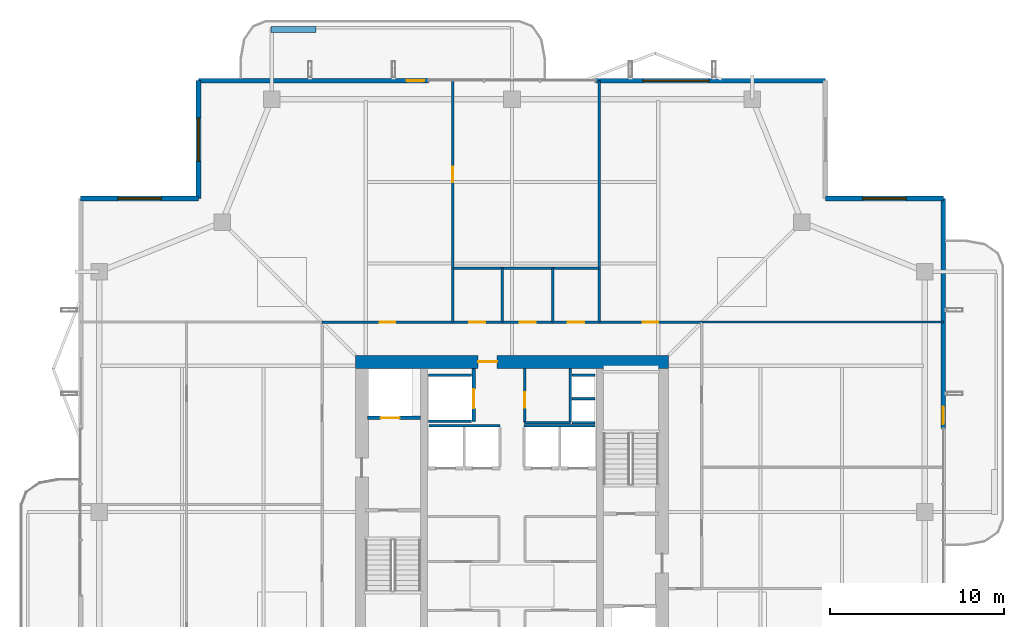
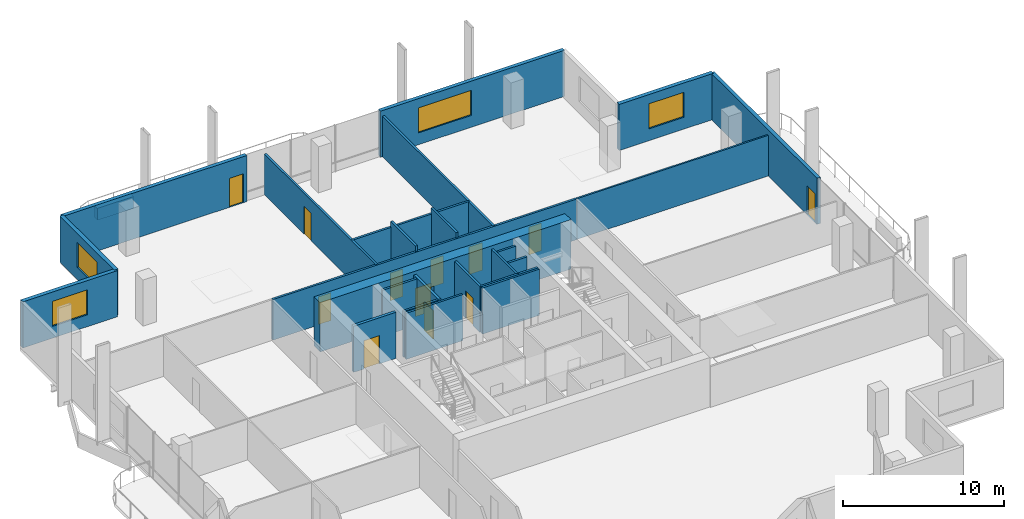
# One storey, part 20 of 25: 27 walls, 12 doors, 4 windows, 16 openings.
"""IFC4 building model written with IfcOpenShell, lengths in metres."""

from ifc_helpers import new_model, si_unit, direction, frame, frame_2d, origin, place, context, subcontext, project, spatial, rectangle, extrude, material, layer, layer_set, type_object, element, fill, save


model = new_model("IFC4")

# Units and contexts
model_context = context("Model", 3, precision=1e-05, world=origin(), true_north=direction((0.0, 1.0)))
body_context = subcontext(model_context, "Body", "Model", "MODEL_VIEW")
ifc_project = project(units=[si_unit("LENGTHUNIT", "METRE"), si_unit("AREAUNIT", "SQUARE_METRE"), si_unit("VOLUMEUNIT", "CUBIC_METRE"), si_unit("PLANEANGLEUNIT", "RADIAN"), si_unit("MASSUNIT", "GRAM", prefix="KILO")], contexts=[model_context])

# Site, building, storey
site_placement = place(None, origin())
site = spatial("IfcSite", under=ifc_project, at=site_placement, CompositionType="ELEMENT")
building_placement = place(site_placement, origin())
building = spatial("IfcBuilding", under=site, at=building_placement, Name="Belovzor Exchange Tower", CompositionType="ELEMENT")
storey_placement = place(building_placement, frame((0.0, 0.0, 272.85009765625)))
storey = spatial("IfcBuildingStorey", under=building, at=storey_placement, Name="L68", CompositionType="ELEMENT", Elevation=272.85009765625)

# Wall
ifc_material_1 = material(Name="Acoustic Plasterboard on Galvanised Studs", Category="gypsum")
ifc_layer_1 = layer(ifc_material_1, 0.1201171875)
ifc_layer_set_1 = layer_set([ifc_layer_1], Name="Acoustic Plasterboard on Galvanised Studs")
wall_type_1 = type_object("IfcWallType", Name="Acoustic Double-Stud Partition Wall 120", PredefinedType="PARTITIONING", material=ifc_layer_set_1)
wall_1_placement = place(storey_placement, frame((39.699951171875, 39.699951171875, 0.0), z_axis=(0.0, 0.0, 1.0), x_axis=(1.0, 0.0, 0.0)))
element("IfcWall", 1, at=wall_1_placement, inside=storey, type_object=wall_type_1, Name="W-P120 Partition Wall W-L68-END-NE", PredefinedType="PARTITIONING", context=body_context, shape_type="SweptSolid", body=[
    extrude(rectangle(XDim=13.8701171875, YDim=0.1201171875, at=frame_2d((6.93505859375, 0.0))), origin(), (0.0, 0.0, 1.0), 3.0849609375),
])

# Wall, opening, door
ifc_material_2 = material(Name="Fire-Rated Gypsum Block and Mineral Wool", Category="gypsum")
ifc_layer_2 = layer(ifc_material_2, 0.14990234375)
ifc_layer_set_2 = layer_set([ifc_layer_2], Name="Fire-Rated Gypsum Block and Mineral Wool")
wall_type_2 = type_object("IfcWallType", Name="Fire-Rated Gypsum Block Corridor Wall 150", PredefinedType="PARTITIONING", material=ifc_layer_set_2)
wall_2_placement = place(storey_placement, frame((29.52490234375, 33.925048828125, 0.0), z_axis=(0.0, 0.0, 1.0), x_axis=(0.0, 1.0, 0.0)))
wall_2 = element("IfcWall", 2, at=wall_2_placement, inside=storey, type_object=wall_type_2, Name="W-P150 Partition Wall W-CRV-L68-W", PredefinedType="PARTITIONING", context=body_context, shape_type="SweptSolid", body=[
    extrude(rectangle(XDim=3.125, YDim=0.14990234375, at=frame_2d((1.5625, 0.0))), origin(), (0.0, 0.0, 1.0), 3.5),
])
opening_1_placement = place(wall_2_placement, frame((0.85009765625, 0.0, 0.0)))
opening_1 = element("IfcOpeningElement", 3, at=opening_1_placement, cuts=wall_2, Name="Opening D-FD60-090", PredefinedType="OPENING", context=body_context, shape_type="SweptSolid", body=[
    extrude(rectangle(XDim=0.89990234375, YDim=2.10009765625, at=frame_2d((0.449951171875, 1.050048828125))), frame((0.0, 0.0849609375, 0.0), z_axis=(0.0, -1.0, 0.0), x_axis=(1.0, 0.0, 0.0)), (0.0, 0.0, 1.0), 0.169921875),
])
ifc_material_3 = material(Name="Acoustic Timber Fire Leaf", Category="wood")
door_type_1 = type_object("IfcDoorType", Name="Core Service & Restroom Fire Door 900x2100", OperationType="NOTDEFINED", PredefinedType="DOOR", material=ifc_material_3)
door_1_placement = place(opening_1_placement, origin())
door_1 = element("IfcDoor", 4, at=door_1_placement, inside=storey, type_object=door_type_1, Name="D-FD60-090 Core Service & Restroom Fire Door 900x2100", OperationType="SINGLE_SWING_LEFT", OverallHeight=2.10009765625, OverallWidth=0.89990234375, PredefinedType="DOOR", context=body_context, shape_type="SweptSolid", body=[
    extrude(rectangle(XDim=0.89990234375, YDim=2.10009765625, at=frame_2d((0.449951171875, 1.050048828125))), frame((0.0, 0.02490234375, 0.0), z_axis=(0.0, -1.0, 0.0), x_axis=(1.0, 0.0, 0.0)), (0.0, 0.0, 1.0), 0.050048828125),
])
fill(opening_1, door_1)

# Walls
wall_3_placement = place(storey_placement, frame((29.52490234375, 33.925048828125, 0.0), z_axis=(0.0, 0.0, 1.0), x_axis=(1.0, 0.0, 0.0)))
element("IfcWall", 5, at=wall_3_placement, inside=storey, type_object=wall_type_2, Name="W-P150 Partition Wall W-CRV-L68-S", PredefinedType="PARTITIONING", context=body_context, shape_type="SweptSolid", body=[
    extrude(rectangle(XDim=2.625, YDim=0.14990234375, at=frame_2d((1.3125, 0.0))), origin(), (0.0, 0.0, 1.0), 3.5),
])
wall_4_placement = place(storey_placement, frame((25.39990234375, 42.800048828125, 0.0), z_axis=(0.0, 0.0, 1.0), x_axis=(1.0, 0.0, 0.0)))
element("IfcWall", 6, at=wall_4_placement, inside=storey, type_object=wall_type_2, Name="W-P150 Partition Wall W-L68-WCN", PredefinedType="PARTITIONING", context=body_context, shape_type="SweptSolid", body=[
    extrude(rectangle(XDim=8.400146484375, YDim=0.14990234375, at=frame_2d((4.2001953125, 0.0))), origin(), (0.0, 0.0, 1.0), 3.0849609375),
])

# Wall, opening, door
wall_5_placement = place(storey_placement, frame((25.39990234375, 39.699951171875, 0.0), z_axis=(0.0, 0.0, 1.0), x_axis=(0.0, 1.0, 0.0)))
wall_5 = element("IfcWall", 7, at=wall_5_placement, inside=storey, type_object=wall_type_2, Name="W-P150 Partition Wall W-L68-WCW", PredefinedType="PARTITIONING", context=body_context, shape_type="SweptSolid", body=[
    extrude(rectangle(XDim=13.8701171875, YDim=0.14990234375, at=frame_2d((6.93505859375, 0.0))), origin(), (0.0, 0.0, 1.0), 3.0849609375),
])
opening_2_placement = place(wall_5_placement, frame((8.034912109375, 0.0, 0.0)))
opening_2 = element("IfcOpeningElement", 8, at=opening_2_placement, cuts=wall_5, Name="Opening D-INT-090", PredefinedType="OPENING", context=body_context, shape_type="SweptSolid", body=[
    extrude(rectangle(XDim=0.89990234375, YDim=2.10009765625, at=frame_2d((0.449951171875, 1.050048828125))), frame((0.0, 0.0849609375, 0.0), z_axis=(0.0, -1.0, 0.0), x_axis=(1.0, 0.0, 0.0)), (0.0, 0.0, 1.0), 0.169921875),
])
ifc_material_4 = material(Name="Veneered Hardwood Acoustic Leaf", Category="wood")
door_type_2 = type_object("IfcDoorType", Name="Trading Suite Acoustic Single Door 900x2100", OperationType="NOTDEFINED", PredefinedType="DOOR", material=ifc_material_4)
door_2_placement = place(opening_2_placement, origin())
door_2 = element("IfcDoor", 9, at=door_2_placement, inside=storey, type_object=door_type_2, Name="D-INT-090 Trading Suite Acoustic Single Door 900x2100", OperationType="SINGLE_SWING_LEFT", OverallHeight=2.10009765625, OverallWidth=0.89990234375, PredefinedType="DOOR", context=body_context, shape_type="SweptSolid", body=[
    extrude(rectangle(XDim=0.89990234375, YDim=2.10009765625, at=frame_2d((0.449951171875, 1.050048828125))), frame((0.0, 0.02490234375, 0.0), z_axis=(0.0, -1.0, 0.0), x_axis=(1.0, 0.0, 0.0)), (0.0, 0.0, 1.0), 0.050048828125),
])
fill(opening_2, door_2)

# Walls
wall_6_placement = place(storey_placement, frame((33.800048828125, 39.699951171875, 0.0), z_axis=(0.0, 0.0, 1.0), x_axis=(0.0, 1.0, 0.0)))
element("IfcWall", 10, at=wall_6_placement, inside=storey, type_object=wall_type_2, Name="W-P150 Partition Wall W-L68-WCE", PredefinedType="PARTITIONING", context=body_context, shape_type="SweptSolid", body=[
    extrude(rectangle(XDim=13.8701171875, YDim=0.14990234375, at=frame_2d((6.93505859375, 0.0))), origin(), (0.0, 0.0, 1.0), 3.0849609375),
])
for number, where, z_axis, x_axis, name in (
    (11, (28.25, 39.699951171875, 0.0), (0.0, 0.0, 1.0), (0.0, 1.0, 0.0), "W-P150 Partition Wall W-L68-WCD1"),
    (12, (31.14990234375, 39.699951171875, 0.0), (0.0, 0.0, 1.0), (0.0, 1.0, 0.0), "W-P150 Partition Wall W-L68-WCD2"),
):
    element("IfcWall", number, at=place(storey_placement, frame(where, z_axis=z_axis, x_axis=x_axis)), inside=storey, type_object=wall_type_2, Name=name, PredefinedType="PARTITIONING", context=body_context, shape_type="SweptSolid", body=[
        extrude(rectangle(XDim=3.10009765625, YDim=0.14990234375, at=frame_2d((1.550048828125, 0.0))), origin(), (0.0, 0.0, 1.0), 3.5),
    ])

# Wall, openings, doors
wall_7_placement = place(storey_placement, frame((17.89990234375, 39.699951171875, 0.0), z_axis=(0.0, 0.0, 1.0), x_axis=(1.0, 0.0, 0.0)))
wall_7 = element("IfcWall", 13, at=wall_7_placement, inside=storey, type_object=wall_type_2, Name="W-P150 Partition Wall W-L68-CN", PredefinedType="PARTITIONING", context=body_context, shape_type="SweptSolid", body=[
    extrude(rectangle(XDim=21.800048828125, YDim=0.14990234375, at=frame_2d((10.89990234375, 0.0))), origin(), (0.0, 0.0, 1.0), 3.0849609375),
])
opening_3_placement = place(wall_7_placement, frame((3.300048828125, 0.0, 0.0)))
opening_3 = element("IfcOpeningElement", 14, at=opening_3_placement, cuts=wall_7, Name="Opening D-INT-090", PredefinedType="OPENING", context=body_context, shape_type="SweptSolid", body=[
    extrude(rectangle(XDim=0.89990234375, YDim=2.10009765625, at=frame_2d((0.449951171875, 1.050048828125))), frame((0.0, 0.0849609375, 0.0), z_axis=(0.0, -1.0, 0.0), x_axis=(1.0, 0.0, 0.0)), (0.0, 0.0, 1.0), 0.169921875),
])
opening_4_placement = place(wall_7_placement, frame((8.449951171875, 0.0, 0.0)))
opening_4 = element("IfcOpeningElement", 15, at=opening_4_placement, cuts=wall_7, Name="Opening D-FD60-090", PredefinedType="OPENING", context=body_context, shape_type="SweptSolid", body=[
    extrude(rectangle(XDim=0.89990234375, YDim=2.10009765625, at=frame_2d((0.449951171875, 1.050048828125))), frame((0.0, 0.0849609375, 0.0), z_axis=(0.0, -1.0, 0.0), x_axis=(1.0, 0.0, 0.0)), (0.0, 0.0, 1.0), 0.169921875),
])
opening_5_placement = place(wall_7_placement, frame((11.35009765625, 0.0, 0.0)))
opening_5 = element("IfcOpeningElement", 16, at=opening_5_placement, cuts=wall_7, Name="Opening D-FD60-090", PredefinedType="OPENING", context=body_context, shape_type="SweptSolid", body=[
    extrude(rectangle(XDim=0.89990234375, YDim=2.10009765625, at=frame_2d((0.449951171875, 1.050048828125))), frame((0.0, 0.0849609375, 0.0), z_axis=(0.0, -1.0, 0.0), x_axis=(1.0, 0.0, 0.0)), (0.0, 0.0, 1.0), 0.169921875),
])
opening_6_placement = place(wall_7_placement, frame((14.10009765625, 0.0, 0.0)))
opening_6 = element("IfcOpeningElement", 17, at=opening_6_placement, cuts=wall_7, Name="Opening D-FD60-095", PredefinedType="OPENING", context=body_context, shape_type="SweptSolid", body=[
    extrude(rectangle(XDim=0.949951171875, YDim=2.10009765625, at=frame_2d((0.47509765625, 1.050048828125))), frame((0.0, 0.0849609375, 0.0), z_axis=(0.0, -1.0, 0.0), x_axis=(1.0, 0.0, 0.0)), (0.0, 0.0, 1.0), 0.169921875),
])
opening_7_placement = place(wall_7_placement, frame((18.39990234375, 0.0, 0.0)))
opening_7 = element("IfcOpeningElement", 18, at=opening_7_placement, cuts=wall_7, Name="Opening D-INT-090", PredefinedType="OPENING", context=body_context, shape_type="SweptSolid", body=[
    extrude(rectangle(XDim=0.89990234375, YDim=2.10009765625, at=frame_2d((0.449951171875, 1.050048828125))), frame((0.0, 0.0849609375, 0.0), z_axis=(0.0, -1.0, 0.0), x_axis=(1.0, 0.0, 0.0)), (0.0, 0.0, 1.0), 0.169921875),
])
ifc_material_5 = material(Name="Moisture-Resistant Timber Fire Leaf", Category="wood")
door_type_3 = type_object("IfcDoorType", Name="Accessible Restroom Wide Fire Door 950x2100", OperationType="NOTDEFINED", PredefinedType="DOOR", material=ifc_material_5)
door_3_placement = place(opening_6_placement, origin())
door_3 = element("IfcDoor", 19, at=door_3_placement, inside=storey, type_object=door_type_3, Name="D-FD60-095 Accessible Restroom Wide Fire Door 950x2100", OperationType="SINGLE_SWING_LEFT", OverallHeight=2.10009765625, OverallWidth=0.949951171875, PredefinedType="DOOR", context=body_context, shape_type="SweptSolid", body=[
    extrude(rectangle(XDim=0.949951171875, YDim=2.10009765625, at=frame_2d((0.47509765625, 1.050048828125))), frame((0.0, 0.02490234375, 0.0), z_axis=(0.0, -1.0, 0.0), x_axis=(1.0, 0.0, 0.0)), (0.0, 0.0, 1.0), 0.050048828125),
])
fill(opening_6, door_3)
door_4_placement = place(opening_4_placement, origin())
door_4 = element("IfcDoor", 20, at=door_4_placement, inside=storey, type_object=door_type_1, Name="D-FD60-090 Core Service & Restroom Fire Door 900x2100", OperationType="SINGLE_SWING_LEFT", OverallHeight=2.10009765625, OverallWidth=0.89990234375, PredefinedType="DOOR", context=body_context, shape_type="SweptSolid", body=[
    extrude(rectangle(XDim=0.89990234375, YDim=2.10009765625, at=frame_2d((0.449951171875, 1.050048828125))), frame((0.0, 0.02490234375, 0.0), z_axis=(0.0, -1.0, 0.0), x_axis=(1.0, 0.0, 0.0)), (0.0, 0.0, 1.0), 0.050048828125),
])
fill(opening_4, door_4)
door_5_placement = place(opening_5_placement, origin())
door_5 = element("IfcDoor", 21, at=door_5_placement, inside=storey, type_object=door_type_1, Name="D-FD60-090 Core Service & Restroom Fire Door 900x2100", OperationType="SINGLE_SWING_RIGHT", OverallHeight=2.10009765625, OverallWidth=0.89990234375, PredefinedType="DOOR", context=body_context, shape_type="SweptSolid", body=[
    extrude(rectangle(XDim=0.89990234375, YDim=2.10009765625, at=frame_2d((0.449951171875, 1.050048828125))), frame((0.0, 0.02490234375, 0.0), z_axis=(0.0, -1.0, 0.0), x_axis=(1.0, 0.0, 0.0)), (0.0, 0.0, 1.0), 0.050048828125),
])
fill(opening_5, door_5)
door_6_placement = place(opening_3_placement, origin())
door_6 = element("IfcDoor", 22, at=door_6_placement, inside=storey, type_object=door_type_2, Name="D-INT-090 Trading Suite Acoustic Single Door 900x2100", OperationType="SINGLE_SWING_LEFT", OverallHeight=2.10009765625, OverallWidth=0.89990234375, PredefinedType="DOOR", context=body_context, shape_type="SweptSolid", body=[
    extrude(rectangle(XDim=0.89990234375, YDim=2.10009765625, at=frame_2d((0.449951171875, 1.050048828125))), frame((0.0, 0.02490234375, 0.0), z_axis=(0.0, -1.0, 0.0), x_axis=(1.0, 0.0, 0.0)), (0.0, 0.0, 1.0), 0.050048828125),
])
fill(opening_3, door_6)
door_7_placement = place(opening_7_placement, origin())
door_7 = element("IfcDoor", 23, at=door_7_placement, inside=storey, type_object=door_type_2, Name="D-INT-090 Trading Suite Acoustic Single Door 900x2100", OperationType="SINGLE_SWING_RIGHT", OverallHeight=2.10009765625, OverallWidth=0.89990234375, PredefinedType="DOOR", context=body_context, shape_type="SweptSolid", body=[
    extrude(rectangle(XDim=0.89990234375, YDim=2.10009765625, at=frame_2d((0.449951171875, 1.050048828125))), frame((0.0, 0.02490234375, 0.0), z_axis=(0.0, -1.0, 0.0), x_axis=(1.0, 0.0, 0.0)), (0.0, 0.0, 1.0), 0.050048828125),
])
fill(opening_7, door_7)

# Wall, opening, window
ifc_material_6 = material(Name="Precast concrete C40/50", Category="concrete")
ifc_layer_3 = layer(ifc_material_6, 0.280029296875)
ifc_layer_set_3 = layer_set([ifc_layer_3], Name="Precast concrete C40/50")
wall_type_3 = type_object("IfcWallType", Name="Precast Concrete Notched Corner Frame Wall 280", PredefinedType="SOLIDWALL", material=ifc_layer_set_3)
wall_8_placement = place(storey_placement, frame((4.030029296875, 46.800048828125, 0.0), z_axis=(0.0, 0.0, 1.0), x_axis=(1.0, 0.0, 0.0)))
wall_8 = element("IfcWall", 24, at=wall_8_placement, inside=storey, type_object=wall_type_3, Name="W-CRN280 Precast Concrete Notched Corner Frame Wall 280 L68", PredefinedType="SOLIDWALL", context=body_context, shape_type="SweptSolid", body=[
    extrude(rectangle(XDim=6.77001953125, YDim=0.280029296875, at=frame_2d((3.385009765625, 0.0))), origin(), (0.0, 0.0, 1.0), 3.5),
])
opening_8_placement = place(wall_8_placement, frame((2.135009765625, 0.0, 0.89990234375)))
opening_8 = element("IfcOpeningElement", 25, at=opening_8_placement, cuts=wall_8, Name="Opening WN-CRN250", PredefinedType="OPENING", context=body_context, shape_type="SweptSolid", body=[
    extrude(rectangle(XDim=2.5, YDim=1.89990234375, at=frame_2d((1.25, 0.949951171875))), frame((0.0, 0.14990234375, 0.0), z_axis=(0.0, -1.0, 0.0), x_axis=(1.0, 0.0, 0.0)), (0.0, 0.0, 1.0), 0.300048828125),
])
ifc_material_7 = material(Name="Thermally Broken Aluminium and Triple Glazing", Category="aluminium")
window_type_1 = type_object("IfcWindowType", Name="Streamline Moderne Corner Wrap Ribbon Window 2500x1900", PartitioningType="SINGLE_PANEL", PredefinedType="WINDOW", material=ifc_material_7)
window_1_placement = place(opening_8_placement, origin())
window_1 = element("IfcWindow", 26, at=window_1_placement, inside=storey, type_object=window_type_1, Name="WN-CRN250 Streamline Moderne Corner Wrap Ribbon Window 2500x1900", OverallHeight=1.89990234375, OverallWidth=2.5, PartitioningType="SINGLE_PANEL", PredefinedType="WINDOW", context=body_context, shape_type="SweptSolid", body=[
    extrude(rectangle(XDim=2.5, YDim=1.89990234375, at=frame_2d((1.25, 0.949951171875))), frame((0.0, 0.030029296875, 0.0), z_axis=(0.0, -1.0, 0.0), x_axis=(1.0, 0.0, 0.0)), (0.0, 0.0, 1.0), 0.06005859375),
])
fill(opening_8, window_1)

wall_9_placement = place(storey_placement, frame((10.800048828125, 46.800048828125, 0.0), z_axis=(0.0, 0.0, 1.0), x_axis=(0.0, 1.0, 0.0)))
wall_9 = element("IfcWall", 27, at=wall_9_placement, inside=storey, type_object=wall_type_3, Name="W-CRN280 Precast Concrete Notched Corner Frame Wall 280 L68", PredefinedType="SOLIDWALL", context=body_context, shape_type="SweptSolid", body=[
    extrude(rectangle(XDim=6.77001953125, YDim=0.280029296875, at=frame_2d((3.385009765625, 0.0))), origin(), (0.0, 0.0, 1.0), 3.5),
])
opening_9_placement = place(wall_9_placement, frame((2.135009765625, 0.0, 0.89990234375)))
opening_9 = element("IfcOpeningElement", 28, at=opening_9_placement, cuts=wall_9, Name="Opening WN-CRN250", PredefinedType="OPENING", context=body_context, shape_type="SweptSolid", body=[
    extrude(rectangle(XDim=2.5, YDim=1.89990234375, at=frame_2d((1.25, 0.949951171875))), frame((0.0, 0.14990234375, 0.0), z_axis=(0.0, -1.0, 0.0), x_axis=(1.0, 0.0, 0.0)), (0.0, 0.0, 1.0), 0.300048828125),
])
window_2_placement = place(opening_9_placement, origin())
window_2 = element("IfcWindow", 29, at=window_2_placement, inside=storey, type_object=window_type_1, Name="WN-CRN250 Streamline Moderne Corner Wrap Ribbon Window 2500x1900", OverallHeight=1.89990234375, OverallWidth=2.5, PartitioningType="SINGLE_PANEL", PredefinedType="WINDOW", context=body_context, shape_type="SweptSolid", body=[
    extrude(rectangle(XDim=2.5, YDim=1.89990234375, at=frame_2d((1.25, 0.949951171875))), frame((0.0, 0.030029296875, 0.0), z_axis=(0.0, -1.0, 0.0), x_axis=(1.0, 0.0, 0.0)), (0.0, 0.0, 1.0), 0.06005859375),
])
fill(opening_9, window_2)

wall_10_placement = place(storey_placement, frame((46.800048828125, 46.800048828125, 0.0), z_axis=(0.0, 0.0, 1.0), x_axis=(1.0, 0.0, 0.0)))
wall_10 = element("IfcWall", 30, at=wall_10_placement, inside=storey, type_object=wall_type_3, Name="W-CRN280 Precast Concrete Notched Corner Frame Wall 280 L68", PredefinedType="SOLIDWALL", context=body_context, shape_type="SweptSolid", body=[
    extrude(rectangle(XDim=6.77001953125, YDim=0.280029296875, at=frame_2d((3.385009765625, 0.0))), origin(), (0.0, 0.0, 1.0), 3.5),
])
opening_10_placement = place(wall_10_placement, frame((2.135009765625, 0.0, 0.89990234375)))
opening_10 = element("IfcOpeningElement", 31, at=opening_10_placement, cuts=wall_10, Name="Opening WN-CRN250", PredefinedType="OPENING", context=body_context, shape_type="SweptSolid", body=[
    extrude(rectangle(XDim=2.5, YDim=1.89990234375, at=frame_2d((1.25, 0.949951171875))), frame((0.0, 0.14990234375, 0.0), z_axis=(0.0, -1.0, 0.0), x_axis=(1.0, 0.0, 0.0)), (0.0, 0.0, 1.0), 0.300048828125),
])
window_3_placement = place(opening_10_placement, origin())
window_3 = element("IfcWindow", 32, at=window_3_placement, inside=storey, type_object=window_type_1, Name="WN-CRN250 Streamline Moderne Corner Wrap Ribbon Window 2500x1900", OverallHeight=1.89990234375, OverallWidth=2.5, PartitioningType="SINGLE_PANEL", PredefinedType="WINDOW", context=body_context, shape_type="SweptSolid", body=[
    extrude(rectangle(XDim=2.5, YDim=1.89990234375, at=frame_2d((1.25, 0.949951171875))), frame((0.0, 0.030029296875, 0.0), z_axis=(0.0, -1.0, 0.0), x_axis=(1.0, 0.0, 0.0)), (0.0, 0.0, 1.0), 0.06005859375),
])
fill(opening_10, window_3)

# Wall, opening, door
ifc_material_8 = material(Name="Precast concrete C40/50", Category="concrete")
ifc_layer_4 = layer(ifc_material_8, 0.260009765625)
ifc_layer_set_4 = layer_set([ifc_layer_4], Name="Precast concrete C40/50")
wall_type_4 = type_object("IfcWallType", Name="Precast Concrete Perimeter Loggia Frame Wall 260", PredefinedType="SOLIDWALL", material=ifc_layer_set_4)
wall_11_placement = place(storey_placement, frame((10.800048828125, 53.570068359375, 0.0), z_axis=(0.0, 0.0, 1.0), x_axis=(1.0, 0.0, 0.0)))
wall_11 = element("IfcWall", 33, at=wall_11_placement, inside=storey, type_object=wall_type_4, Name="W-EXT260 Precast Concrete Perimeter Loggia Frame Wall 260 L68", PredefinedType="SOLIDWALL", context=body_context, shape_type="SweptSolid", body=[
    extrude(rectangle(XDim=13.199951171875, YDim=0.260009765625, at=frame_2d((6.60009765625, 0.0))), origin(), (0.0, 0.0, 1.0), 3.5),
])
opening_11_placement = place(wall_11_placement, frame((11.949951171875, 0.0, 0.0)))
opening_11 = element("IfcOpeningElement", 34, at=opening_11_placement, cuts=wall_11, Name="Opening D-BAL100", PredefinedType="OPENING", context=body_context, shape_type="SweptSolid", body=[
    extrude(rectangle(XDim=1.0, YDim=2.199951171875, at=frame_2d((0.5, 1.10009765625))), frame((0.0, 0.139892578125, 0.0), z_axis=(0.0, -1.0, 0.0), x_axis=(1.0, 0.0, 0.0)), (0.0, 0.0, 1.0), 0.280029296875),
])
ifc_material_9 = material(Name="Thermally Broken Anodised Aluminium and Laminated Glass", Category="aluminium")
door_type_4 = type_object("IfcDoorType", Name="Planted Loggia Terrace Glazed Door 1000x2200", OperationType="SINGLE_SWING_LEFT", PredefinedType="DOOR", material=ifc_material_9)
door_8_placement = place(opening_11_placement, origin())
door_8 = element("IfcDoor", 35, at=door_8_placement, inside=storey, type_object=door_type_4, Name="D-BAL100 Balcony Terrace Door L68 N", OperationType="SINGLE_SWING_RIGHT", OverallHeight=2.199951171875, OverallWidth=1.0, PredefinedType="DOOR", context=body_context, shape_type="SweptSolid", body=[
    extrude(rectangle(XDim=1.0, YDim=2.199951171875, at=frame_2d((0.5, 1.10009765625))), frame((0.0, 0.02490234375, 0.0), z_axis=(0.0, -1.0, 0.0), x_axis=(1.0, 0.0, 0.0)), (0.0, 0.0, 1.0), 0.050048828125),
])
fill(opening_11, door_8)

# Wall, opening, window
wall_12_placement = place(storey_placement, frame((33.60009765625, 53.570068359375, 0.0), z_axis=(0.0, 0.0, 1.0), x_axis=(1.0, 0.0, 0.0)))
wall_12 = element("IfcWall", 36, at=wall_12_placement, inside=storey, type_object=wall_type_4, Name="W-EXT260 Precast Concrete Perimeter Loggia Frame Wall 260 L68", PredefinedType="SOLIDWALL", context=body_context, shape_type="SweptSolid", body=[
    extrude(rectangle(XDim=13.199951171875, YDim=0.260009765625, at=frame_2d((6.60009765625, 0.0))), origin(), (0.0, 0.0, 1.0), 3.5),
])
opening_12_placement = place(wall_12_placement, frame((2.712890625, 0.0, 0.89990234375)))
opening_12 = element("IfcOpeningElement", 37, at=opening_12_placement, cuts=wall_12, Name="Opening WN-RIB380", PredefinedType="OPENING", context=body_context, shape_type="SweptSolid", body=[
    extrude(rectangle(XDim=3.800048828125, YDim=1.89990234375, at=frame_2d((1.89990234375, 0.949951171875))), frame((0.0, 0.139892578125, 0.0), z_axis=(0.0, -1.0, 0.0), x_axis=(1.0, 0.0, 0.0)), (0.0, 0.0, 1.0), 0.280029296875),
])
ifc_material_10 = material(Name="Thermally Broken Aluminium and Triple Glazing", Category="aluminium")
window_type_2 = type_object("IfcWindowType", Name="Streamline Moderne Horizontal Ribbon Window 3800x1900", PartitioningType="SINGLE_PANEL", PredefinedType="WINDOW", material=ifc_material_10)
window_4_placement = place(opening_12_placement, origin())
window_4 = element("IfcWindow", 38, at=window_4_placement, inside=storey, type_object=window_type_2, Name="WN-RIB380 Streamline Moderne Horizontal Ribbon Window 3800x1900", OverallHeight=1.89990234375, OverallWidth=3.800048828125, PartitioningType="SINGLE_PANEL", PredefinedType="WINDOW", context=body_context, shape_type="SweptSolid", body=[
    extrude(rectangle(XDim=3.800048828125, YDim=1.89990234375, at=frame_2d((1.89990234375, 0.949951171875))), frame((0.0, 0.030029296875, 0.0), z_axis=(0.0, -1.0, 0.0), x_axis=(1.0, 0.0, 0.0)), (0.0, 0.0, 1.0), 0.06005859375),
])
fill(opening_12, window_4)

# Wall, opening, door
wall_13_placement = place(storey_placement, frame((53.570068359375, 46.800048828125, 0.0), z_axis=(0.0, 0.0, 1.0), x_axis=(0.0, -1.0, 0.0)))
wall_13 = element("IfcWall", 39, at=wall_13_placement, inside=storey, type_object=wall_type_4, Name="W-EXT260 Precast Concrete Perimeter Loggia Frame Wall 260 L68", PredefinedType="SOLIDWALL", context=body_context, shape_type="SweptSolid", body=[
    extrude(rectangle(XDim=13.199951171875, YDim=0.260009765625, at=frame_2d((6.60009765625, 0.0))), origin(), (0.0, 0.0, 1.0), 3.5),
])
opening_13_placement = place(wall_13_placement, frame((11.949951171875, 0.0, 0.0)))
opening_13 = element("IfcOpeningElement", 40, at=opening_13_placement, cuts=wall_13, Name="Opening D-BAL100", PredefinedType="OPENING", context=body_context, shape_type="SweptSolid", body=[
    extrude(rectangle(XDim=1.0, YDim=2.199951171875, at=frame_2d((0.5, 1.10009765625))), frame((0.0, 0.139892578125, 0.0), z_axis=(0.0, -1.0, 0.0), x_axis=(1.0, 0.0, 0.0)), (0.0, 0.0, 1.0), 0.280029296875),
])
door_9_placement = place(opening_13_placement, origin())
door_9 = element("IfcDoor", 41, at=door_9_placement, inside=storey, type_object=door_type_4, Name="D-BAL100 Balcony Terrace Door L68 E", OperationType="SINGLE_SWING_LEFT", OverallHeight=2.199951171875, OverallWidth=1.0, PredefinedType="DOOR", context=body_context, shape_type="SweptSolid", body=[
    extrude(rectangle(XDim=1.0, YDim=2.199951171875, at=frame_2d((0.5, 1.10009765625))), frame((0.0, 0.02490234375, 0.0), z_axis=(0.0, -1.0, 0.0), x_axis=(1.0, 0.0, 0.0)), (0.0, 0.0, 1.0), 0.050048828125),
])
fill(opening_13, door_9)

# Walls
ifc_material_11 = material(Name="Precast concrete C40/50", Category="concrete")
ifc_layer_5 = layer(ifc_material_11, 0.35009765625)
ifc_layer_set_5 = layer_set([ifc_layer_5], Name="Precast concrete C40/50")
wall_type_5 = type_object("IfcWallType", Name="Precast Concrete Structural Tree Planter Trough 350", PredefinedType="PARAPET", material=ifc_layer_set_5)
wall_14_placement = place(storey_placement, frame((14.949951171875, 56.5, 0.0), z_axis=(0.0, 0.0, 1.0), x_axis=(1.0, 0.0, 0.0)))
element("IfcWall", 42, at=wall_14_placement, inside=storey, type_object=wall_type_5, Name="PT-350 Precast Concrete Structural Tree Planter Trough 350 L68", PredefinedType="PARAPET", context=body_context, shape_type="SweptSolid", body=[
    extrude(rectangle(XDim=2.60009765625, YDim=0.35009765625, at=frame_2d((1.300048828125, 0.0))), origin(), (0.0, 0.0, 1.0), 0.89990234375),
])
ifc_material_12 = material(Name="Concrete C50/60", Category="concrete")
ifc_layer_6 = layer(ifc_material_12, 0.14990234375)
ifc_layer_set_6 = layer_set([ifc_layer_6], Name="Concrete C50/60")
wall_type_6 = type_object("IfcWallType", Name="Reinforced Concrete Core Riser Shear Wall 150", PredefinedType="SHEAR", material=ifc_layer_set_6)
wall_15_placement = place(storey_placement, frame((32.14990234375, 34.0, 0.0), z_axis=(0.0, 0.0, 1.0), x_axis=(0.0, 1.0, 0.0)))
element("IfcWall", 43, at=wall_15_placement, inside=storey, type_object=wall_type_6, Name="W-C150S Core Shaft Wall W-RSR-L68-E", PredefinedType="SHEAR", context=body_context, shape_type="SweptSolid", body=[
    extrude(rectangle(XDim=3.050048828125, YDim=0.14990234375, at=frame_2d((1.52490234375, 0.0))), origin(), (0.0, 0.0, 1.0), 3.5),
])
for number, where, z_axis, x_axis, name in (
    (44, (32.25, 33.925048828125, 0.0), (0.0, 0.0, 1.0), (1.0, 0.0, 0.0), "W-C150S Core Shaft Wall W-RSR-L68-S"),
    (45, (32.25, 35.300048828125, 0.0), (0.0, 0.0, 1.0), (1.0, 0.0, 0.0), "W-C150S Core Shaft Wall W-RSR-L68-M"),
):
    element("IfcWall", number, at=place(storey_placement, frame(where, z_axis=z_axis, x_axis=x_axis)), inside=storey, type_object=wall_type_6, Name=name, PredefinedType="SHEAR", context=body_context, shape_type="SweptSolid", body=[
        extrude(rectangle(XDim=1.330078125, YDim=0.14990234375, at=frame_2d((0.6650390625, 0.0))), origin(), (0.0, 0.0, 1.0), 3.5),
    ])
for number, where, z_axis, x_axis, name in (
    (46, (24.0, 34.0, 0.0), (0.0, 0.0, 1.0), (1.0, 0.0, 0.0), "W-C150S Core Shaft Wall W-SH-L68-SL-01S"),
    (47, (24.0, 36.64990234375, 0.0), (0.0, 0.0, 1.0), (1.0, 0.0, 0.0), "W-C150S Core Shaft Wall W-SH-L68-SL-01N"),
):
    element("IfcWall", number, at=place(storey_placement, frame(where, z_axis=z_axis, x_axis=x_axis)), inside=storey, type_object=wall_type_6, Name=name, PredefinedType="SHEAR", context=body_context, shape_type="SweptSolid", body=[
        extrude(rectangle(XDim=2.47998046875, YDim=0.14990234375, at=frame_2d((1.239990234375, 0.0))), origin(), (0.0, 0.0, 1.0), 3.5),
    ])
wall_16_placement = place(storey_placement, frame((32.25, 36.64990234375, 0.0), z_axis=(0.0, 0.0, 1.0), x_axis=(1.0, 0.0, 0.0)))
element("IfcWall", 48, at=wall_16_placement, inside=storey, type_object=wall_type_6, Name="W-C150S Core Shaft Wall W-RSR-L68-N", PredefinedType="SHEAR", context=body_context, shape_type="SweptSolid", body=[
    extrude(rectangle(XDim=1.330078125, YDim=0.14990234375, at=frame_2d((0.6650390625, 0.0))), origin(), (0.0, 0.0, 1.0), 3.5),
])
for number, where, z_axis, x_axis, name in (
    (49, (24.02001953125, 33.760009765625, 0.0), (0.0, 0.0, 1.0), (1.0, 0.0, 0.0), "W-C150S Core Shaft Wall W-SHB-L68-PLH-NW"),
    (50, (29.5, 33.760009765625, 0.0), (0.0, 0.0, 1.0), (1.0, 0.0, 0.0), "W-C150S Core Shaft Wall W-SHB-L68-PLH-NE"),
):
    element("IfcWall", number, at=place(storey_placement, frame(where, z_axis=z_axis, x_axis=x_axis)), inside=storey, type_object=wall_type_6, Name=name, PredefinedType="SHEAR", context=body_context, shape_type="SweptSolid", body=[
        extrude(rectangle(XDim=4.080078125, YDim=0.14990234375, at=frame_2d((2.0400390625, 0.0))), origin(), (0.0, 0.0, 1.0), 3.5),
    ])

# Wall, opening, door
ifc_material_13 = material(Name="Concrete C50/60", Category="concrete")
ifc_layer_7 = layer(ifc_material_13, 0.199951171875)
ifc_layer_set_7 = layer_set([ifc_layer_7], Name="Concrete C50/60")
wall_type_7 = type_object("IfcWallType", Name="Reinforced Concrete Core Shaft Shear Wall 200", PredefinedType="SHEAR", material=ifc_layer_set_7)
wall_17_placement = place(storey_placement, frame((20.5, 34.199951171875, 0.0), z_axis=(0.0, 0.0, 1.0), x_axis=(1.0, 0.0, 0.0)))
wall_17 = element("IfcWall", 51, at=wall_17_placement, inside=storey, type_object=wall_type_7, Name="W-C200S Core Shaft Wall W-SH-L68-FFL-01", PredefinedType="SHEAR", context=body_context, shape_type="SweptSolid", body=[
    extrude(rectangle(XDim=3.050048828125, YDim=0.199951171875, at=frame_2d((1.52490234375, 0.0))), origin(), (0.0, 0.0, 1.0), 3.5),
])
opening_14_placement = place(wall_17_placement, frame((0.75, 0.0, 0.0)))
opening_14 = element("IfcOpeningElement", 52, at=opening_14_placement, cuts=wall_17, Name="Opening LD-110", PredefinedType="OPENING", context=body_context, shape_type="SweptSolid", body=[
    extrude(rectangle(XDim=1.10009765625, YDim=2.14990234375, at=frame_2d((0.550048828125, 1.074951171875))), frame((0.0, 0.10986328125, 0.0), z_axis=(0.0, -1.0, 0.0), x_axis=(1.0, 0.0, 0.0)), (0.0, 0.0, 1.0), 0.219970703125),
])
ifc_material_14 = material(Name="Stainless Steel Grade 304", Category="steel")
door_type_5 = type_object("IfcDoorType", Name="Automated Stainless Steel Lift Landing Door 1100x2150", OperationType="SLIDING_TO_RIGHT", PredefinedType="DOOR", material=ifc_material_14)
door_10_placement = place(opening_14_placement, origin())
door_10 = element("IfcDoor", 53, at=door_10_placement, inside=storey, type_object=door_type_5, Name="LD-110 Automated Stainless Steel Lift Landing Door 1100x2150", OperationType="SLIDING_TO_RIGHT", OverallHeight=2.14990234375, OverallWidth=1.10009765625, PredefinedType="DOOR", context=body_context, shape_type="SweptSolid", body=[
    extrude(rectangle(XDim=1.10009765625, YDim=2.14990234375, at=frame_2d((0.550048828125, 1.074951171875))), frame((0.0, 0.02490234375, 0.0), z_axis=(0.0, -1.0, 0.0), x_axis=(1.0, 0.0, 0.0)), (0.0, 0.0, 1.0), 0.050048828125),
])
fill(opening_14, door_10)

wall_18_placement = place(storey_placement, frame((26.60009765625, 34.0, 0.0), z_axis=(0.0, 0.0, 1.0), x_axis=(0.0, 1.0, 0.0)))
wall_18 = element("IfcWall", 54, at=wall_18_placement, inside=storey, type_object=wall_type_7, Name="W-C200S Core Shaft Wall W-SH-L68-SL-01", PredefinedType="SHEAR", context=body_context, shape_type="SweptSolid", body=[
    extrude(rectangle(XDim=3.050048828125, YDim=0.199951171875, at=frame_2d((1.52490234375, 0.0))), origin(), (0.0, 0.0, 1.0), 3.5),
])
opening_15_placement = place(wall_18_placement, frame((0.75, 0.0, 0.0)))
opening_15 = element("IfcOpeningElement", 55, at=opening_15_placement, cuts=wall_18, Name="Opening LD-110", PredefinedType="OPENING", context=body_context, shape_type="SweptSolid", body=[
    extrude(rectangle(XDim=1.10009765625, YDim=2.14990234375, at=frame_2d((0.550048828125, 1.074951171875))), frame((0.0, 0.10986328125, 0.0), z_axis=(0.0, -1.0, 0.0), x_axis=(1.0, 0.0, 0.0)), (0.0, 0.0, 1.0), 0.219970703125),
])
door_11_placement = place(opening_15_placement, origin())
door_11 = element("IfcDoor", 56, at=door_11_placement, inside=storey, type_object=door_type_5, Name="LD-110 Automated Stainless Steel Lift Landing Door 1100x2150", OperationType="SLIDING_TO_RIGHT", OverallHeight=2.14990234375, OverallWidth=1.10009765625, PredefinedType="DOOR", context=body_context, shape_type="SweptSolid", body=[
    extrude(rectangle(XDim=1.10009765625, YDim=2.14990234375, at=frame_2d((0.550048828125, 1.074951171875))), frame((0.0, 0.02490234375, 0.0), z_axis=(0.0, -1.0, 0.0), x_axis=(1.0, 0.0, 0.0)), (0.0, 0.0, 1.0), 0.050048828125),
])
fill(opening_15, door_11)

ifc_material_15 = material(Name="Concrete C50/60", Category="concrete")
ifc_layer_8 = layer(ifc_material_15, 0.75)
ifc_layer_set_8 = layer_set([ifc_layer_8], Name="Concrete C50/60")
wall_type_8 = type_object("IfcWallType", Name="Reinforced Concrete Core Shear Wall 750", PredefinedType="SHEAR", material=ifc_layer_set_8)
wall_19_placement = place(storey_placement, frame((19.800048828125, 37.425048828125, 0.0), z_axis=(0.0, 0.0, 1.0), x_axis=(1.0, 0.0, 0.0)))
wall_19 = element("IfcWall", 57, at=wall_19_placement, inside=storey, type_object=wall_type_8, Name="CW-S075 Core Shear Wall L68 N", PredefinedType="SHEAR", context=body_context, shape_type="SweptSolid", body=[
    extrude(rectangle(XDim=18.0, YDim=0.75, at=frame_2d((9.0, 0.0))), origin(), (0.0, 0.0, 1.0), 3.75),
])
opening_16_placement = place(wall_19_placement, frame((7.050048828125, 0.0, 0.0)))
opening_16 = element("IfcOpeningElement", 58, at=opening_16_placement, cuts=wall_19, Name="Opening D-FD90-110", PredefinedType="OPENING", context=body_context, shape_type="SweptSolid", body=[
    extrude(rectangle(XDim=1.10009765625, YDim=2.14990234375, at=frame_2d((0.550048828125, 1.074951171875))), frame((0.0, 0.385009765625, 0.0), z_axis=(0.0, -1.0, 0.0), x_axis=(1.0, 0.0, 0.0)), (0.0, 0.0, 1.0), 0.77001953125),
])
ifc_material_16 = material(Name="Fire-Rated Galvanised Steel Leaf", Category="steel")
door_type_6 = type_object("IfcDoorType", Name="Protected Escape Vestibule Fire Door 1100x2150", OperationType="NOTDEFINED", PredefinedType="DOOR", material=ifc_material_16)
door_12_placement = place(opening_16_placement, origin())
door_12 = element("IfcDoor", 59, at=door_12_placement, inside=storey, type_object=door_type_6, Name="D-FD90-110 Protected Escape Vestibule Fire Door 1100x2150", OperationType="SINGLE_SWING_LEFT", OverallHeight=2.14990234375, OverallWidth=1.10009765625, PredefinedType="DOOR", context=body_context, shape_type="SweptSolid", body=[
    extrude(rectangle(XDim=1.10009765625, YDim=2.14990234375, at=frame_2d((0.550048828125, 1.074951171875))), frame((0.0, 0.02490234375, 0.0), z_axis=(0.0, -1.0, 0.0), x_axis=(1.0, 0.0, 0.0)), (0.0, 0.0, 1.0), 0.050048828125),
])
fill(opening_16, door_12)

save(model, "model.ifc")
